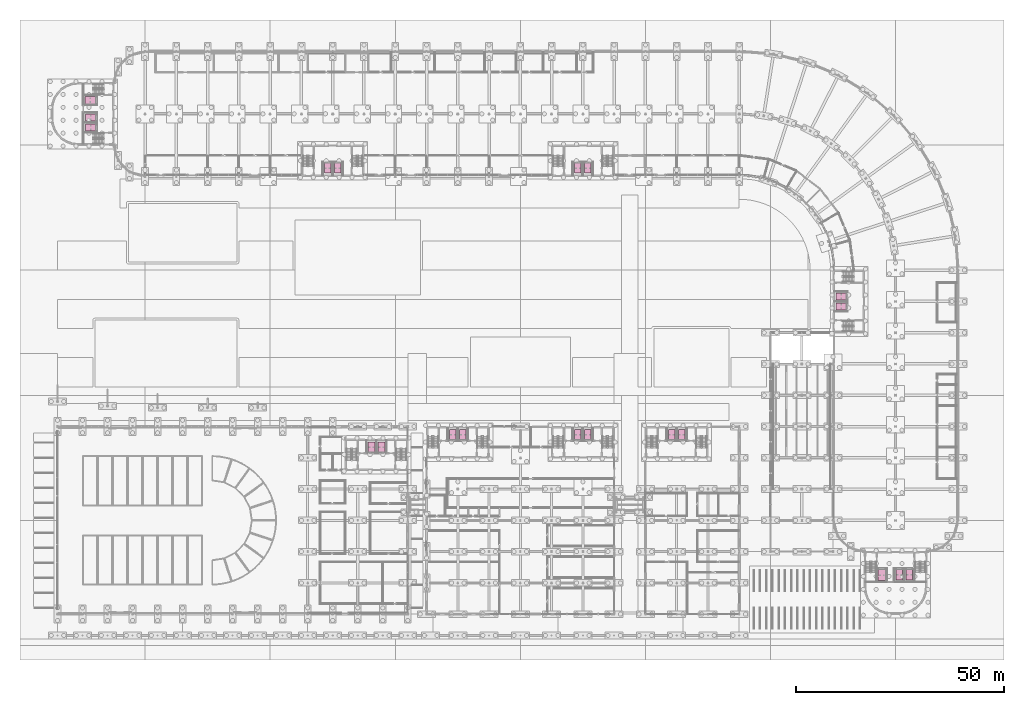
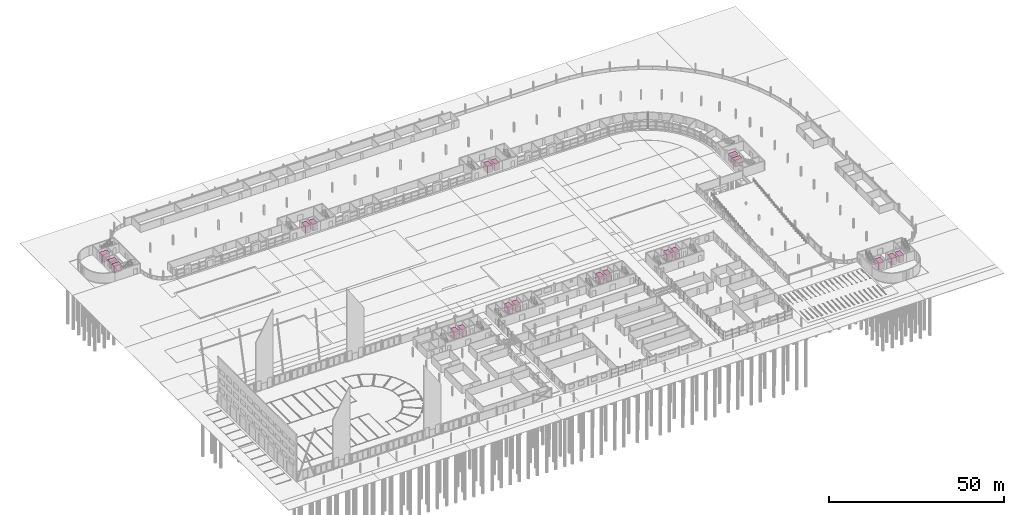
# One storey, part 130 of 130: 20 transport elements.
"""IFC4 building model written with IfcOpenShell, lengths in metres."""

from ifc_helpers import new_model, si_unit, direction, frame, origin, origin_2d, place, context, subcontext, project, spatial, rectangle, extrude, material, type_object, element, save


model = new_model("IFC4")

# Units and contexts
model_context = context("Model", 3, precision=1e-05, world=origin(), true_north=direction((0.0, 1.0)))
body_context = subcontext(model_context, "Body", "Model", "MODEL_VIEW")
ifc_project = project(units=[si_unit("LENGTHUNIT", "METRE"), si_unit("AREAUNIT", "SQUARE_METRE"), si_unit("VOLUMEUNIT", "CUBIC_METRE"), si_unit("PLANEANGLEUNIT", "RADIAN"), si_unit("MASSUNIT", "GRAM", prefix="KILO")], contexts=[model_context])

# Site, building, storey
site_placement = place(None, origin())
site = spatial("IfcSite", under=ifc_project, at=site_placement, CompositionType="ELEMENT")
building_placement = place(site_placement, origin())
building = spatial("IfcBuilding", under=site, at=building_placement, Name="Parallax Yard Mobility Hub", CompositionType="ELEMENT")
storey_placement = place(building_placement, origin())
storey = spatial("IfcBuildingStorey", under=building, at=storey_placement, Name="L00", CompositionType="ELEMENT", Elevation=0.0)

# Transport elements
ifc_material_1 = material(Name="Painted steel lift car", Category="steel")
transport_element_type_1 = type_object("IfcTransportElementType", Name="Goods lift car 1800 x 2600", PredefinedType="ELEVATOR", material=ifc_material_1)
for number, where, z_axis, x_axis, name in (
    (1, (16.85009765625, 130.800048828125, 0.050048828125), (0.0, 0.0, 1.0), (0.0, 1.0, 0.0), "Goods lift LF3 in core C-W"),
    (2, (206.699951171875, 16.85009765625, 0.050048828125), (0.0, 0.0, 1.0), (-1.0, 0.0, 0.0), "Goods lift LF12 in core C-S"),
):
    element("IfcTransportElement", number, at=place(storey_placement, frame(where, z_axis=z_axis, x_axis=x_axis)), inside=storey, type_object=transport_element_type_1, Name=name, PredefinedType="ELEVATOR", context=body_context, shape_type="SweptSolid", body=[
        extrude(rectangle(XDim=1.800048828125, YDim=2.60009765625, at=origin_2d()), origin(), (0.0, 0.0, 1.0), 2.39990234375),
    ])
ifc_material_2 = material(Name="Stainless steel lift car", Category="steel")
transport_element_type_2 = type_object("IfcTransportElementType", Name="Passenger lift car 1600 x 2400", PredefinedType="ELEVATOR", material=ifc_material_2)
for number, where, z_axis, x_axis, name in (
    (3, (16.949951171875, 124.199951171875, 0.050048828125), (0.0, 0.0, 1.0), (0.0, 1.0, 0.0), "Passenger lift LF1 in core C-W"),
    (4, (16.949951171875, 126.60009765625, 0.050048828125), (0.0, 0.0, 1.0), (0.0, 1.0, 0.0), "Passenger lift LF2 in core C-W"),
    (5, (76.199951171875, 114.449951171875, 0.050048828125), (0.0, 0.0, 1.0), (-1.0, 0.0, 0.0), "Passenger lift LF4 in core C-N1"),
    (6, (73.800048828125, 114.449951171875, 0.050048828125), (0.0, 0.0, 1.0), (-1.0, 0.0, 0.0), "Passenger lift LF5 in core C-N1"),
    (7, (136.199951171875, 114.449951171875, 0.050048828125), (0.0, 0.0, 1.0), (-1.0, 0.0, 0.0), "Passenger lift LF6 in core C-N2"),
    (8, (133.800048828125, 114.449951171875, 0.050048828125), (0.0, 0.0, 1.0), (-1.0, 0.0, 0.0), "Passenger lift LF7 in core C-N2"),
    (9, (196.949951171875, 81.300048828125, 0.050048828125), (0.0, 0.0, 1.0), (0.0, 1.0, 0.0), "Passenger lift LF8 in core C-E"),
    (10, (196.949951171875, 83.699951171875, 0.050048828125), (0.0, 0.0, 1.0), (0.0, 1.0, 0.0), "Passenger lift LF9 in core C-E"),
    (11, (213.300048828125, 16.949951171875, 0.050048828125), (0.0, 0.0, 1.0), (-1.0, 0.0, 0.0), "Passenger lift LF10 in core C-S"),
    (12, (210.89990234375, 16.949951171875, 0.050048828125), (0.0, 0.0, 1.0), (-1.0, 0.0, 0.0), "Passenger lift LF11 in core C-S"),
    (13, (103.800048828125, 50.550048828125, 0.050048828125), (0.0, 0.0, 1.0), (1.0, 0.0, 0.0), "Passenger lift LF13 in core C6-W"),
    (14, (106.199951171875, 50.550048828125, 0.050048828125), (0.0, 0.0, 1.0), (1.0, 0.0, 0.0), "Passenger lift LF14 in core C6-W"),
    (15, (133.800048828125, 50.550048828125, 0.050048828125), (0.0, 0.0, 1.0), (1.0, 0.0, 0.0), "Passenger lift LF15 in core C6-E"),
    (16, (136.199951171875, 50.550048828125, 0.050048828125), (0.0, 0.0, 1.0), (1.0, 0.0, 0.0), "Passenger lift LF16 in core C6-E"),
    (17, (156.300048828125, 50.550048828125, 0.050048828125), (0.0, 0.0, 1.0), (1.0, 0.0, 0.0), "Passenger lift LF17 in core C5"),
    (18, (158.699951171875, 50.550048828125, 0.050048828125), (0.0, 0.0, 1.0), (1.0, 0.0, 0.0), "Passenger lift LF18 in core C5"),
    (19, (84.300048828125, 47.550048828125, 0.050048828125), (0.0, 0.0, 1.0), (1.0, 0.0, 0.0), "Passenger lift LF19 in core C1"),
    (20, (86.699951171875, 47.550048828125, 0.050048828125), (0.0, 0.0, 1.0), (1.0, 0.0, 0.0), "Passenger lift LF20 in core C1"),
):
    element("IfcTransportElement", number, at=place(storey_placement, frame(where, z_axis=z_axis, x_axis=x_axis)), inside=storey, type_object=transport_element_type_2, Name=name, PredefinedType="ELEVATOR", context=body_context, shape_type="SweptSolid", body=[
        extrude(rectangle(XDim=1.60009765625, YDim=2.39990234375, at=origin_2d()), origin(), (0.0, 0.0, 1.0), 2.39990234375),
    ])

save(model, "model.ifc")
